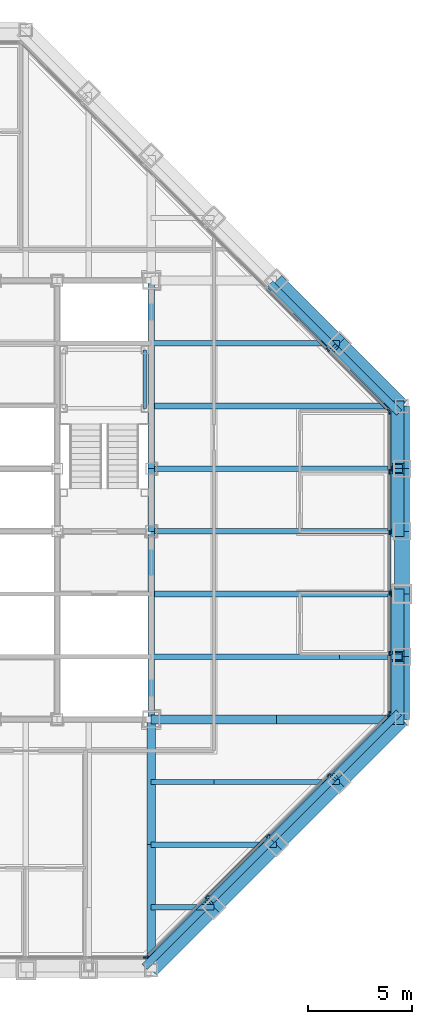
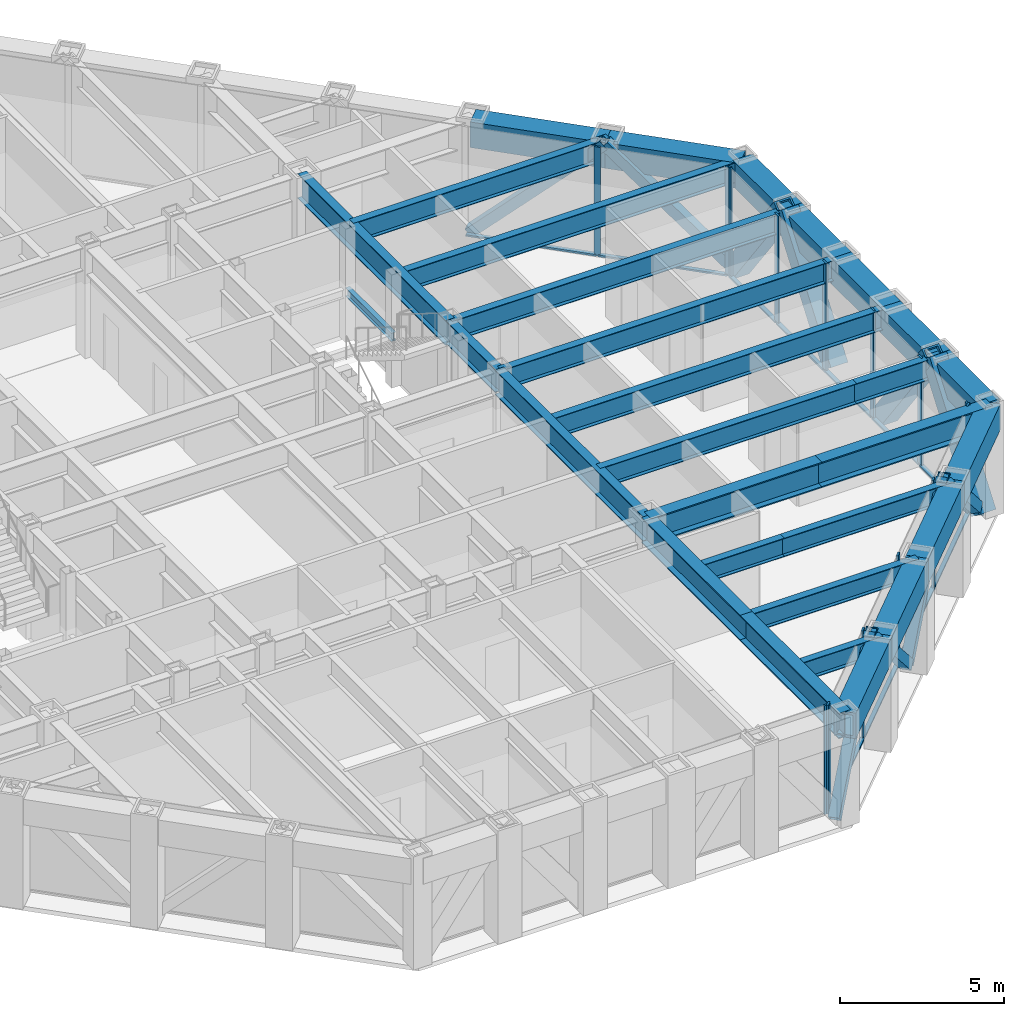
# One storey, part 7 of 16: 35 members, 30 beams, 4 elements without a shape of their own.
"""IFC4 building model written with IfcOpenShell, lengths in metres."""

from ifc_helpers import new_model, si_unit, direction, frame, origin, origin_2d, place, context, subcontext, project, spatial, rectangle, hollow_rectangle, i_section, extrude, material, layer, layer_set, material_profile, profile_set, type_object, element, aggregate, save


model = new_model("IFC4")

# Units and contexts
model_context = context("Model", 3, precision=1e-05, world=origin(), true_north=direction((0.0, 1.0)))
body_context = subcontext(model_context, "Body", "Model", "MODEL_VIEW")
ifc_project = project(units=[si_unit("LENGTHUNIT", "METRE"), si_unit("AREAUNIT", "SQUARE_METRE"), si_unit("VOLUMEUNIT", "CUBIC_METRE"), si_unit("PLANEANGLEUNIT", "RADIAN"), si_unit("MASSUNIT", "GRAM", prefix="KILO")], contexts=[model_context])

# Site, building, storey
site_placement = place(None, origin())
site = spatial("IfcSite", under=ifc_project, at=site_placement, CompositionType="ELEMENT")
building_placement = place(site_placement, origin())
building = spatial("IfcBuilding", under=site, at=building_placement, Name="Chuquiago Exchange Tower", CompositionType="ELEMENT")
storey_placement = place(building_placement, frame((0.0, 0.0, 247.5)))
storey = spatial("IfcBuildingStorey", under=building, at=storey_placement, Name="L55", CompositionType="ELEMENT", Elevation=247.5)

# Beams
ifc_material_1 = material(Name="Steel ASTM A992", Category="steel")
ifc_material_profile_1 = material_profile(ifc_material_1, i_section(OverallWidth=0.307373046875, OverallDepth=0.927001953125, WebThickness=0.01953125, FlangeThickness=0.031982421875, at=origin_2d()), Name="W36X194")
ifc_profile_set_1 = profile_set([ifc_material_profile_1], Name="Steel ASTM A992")
beam_type_1 = type_object("IfcBeamType", Name="B10 W36X194", PredefinedType="BEAM", material=ifc_profile_set_1)
for number, where, z_axis, x_axis, name in (
    (1, (33.0, 12.0, 3.576416015625), (0.0, 1.0, 0.0), (-1.0, 0.0, 0.0), "CB-L56-33_12-33_21"),
    (2, (33.0, 24.0, 3.576416015625), (0.0, 1.0, 0.0), (-1.0, 0.0, 0.0), "CB-L56-33_24-33_33"),
):
    element("IfcBeam", number, at=place(storey_placement, frame(where, z_axis=z_axis, x_axis=x_axis)), inside=storey, type_object=beam_type_1, Name=name, PredefinedType="BEAM", context=body_context, shape_type="SweptSolid", body=[
        extrude(i_section(OverallWidth=0.307373046875, OverallDepth=0.927001953125, WebThickness=0.01953125, FlangeThickness=0.031982421875, at=origin_2d()), origin(), (0.0, 0.0, 1.0), 9.0),
    ])
ifc_material_2 = material(Name="Steel ASTM A992", Category="steel")
ifc_material_profile_2 = material_profile(ifc_material_2, i_section(OverallWidth=0.2919921875, OverallDepth=0.8583984375, WebThickness=0.01708984375, FlangeThickness=0.031005859375, at=origin_2d()), Name="W33X169")
ifc_profile_set_2 = profile_set([ifc_material_profile_2], Name="Steel ASTM A992")
beam_type_2 = type_object("IfcBeamType", Name="B3 W33X169", PredefinedType="BEAM", material=ifc_profile_set_2)
beam_1_placement = place(storey_placement, frame((33.0, 21.0, 3.610595703125), z_axis=(0.0, 1.0, 0.0), x_axis=(-1.0, 0.0, 0.0)))
element("IfcBeam", 3, at=beam_1_placement, inside=storey, type_object=beam_type_2, Name="CB-L56-33_21-33_24", PredefinedType="BEAM", context=body_context, shape_type="SweptSolid", body=[
    extrude(i_section(OverallWidth=0.2919921875, OverallDepth=0.8583984375, WebThickness=0.01708984375, FlangeThickness=0.031005859375, at=origin_2d()), origin(), (0.0, 0.0, 1.0), 3.0),
])
ifc_material_3 = material(Name="Steel ASTM A992", Category="steel")
ifc_material_profile_3 = material_profile(ifc_material_3, i_section(OverallWidth=0.2666015625, OverallDepth=0.761962890625, WebThickness=0.014404296875, FlangeThickness=0.021484375, at=origin_2d()), Name="W30X116")
ifc_profile_set_3 = profile_set([ifc_material_profile_3], Name="Steel ASTM A992")
beam_type_3 = type_object("IfcBeamType", Name="B8 W30X116", PredefinedType="BEAM", material=ifc_profile_set_3)
beam_2_placement = place(storey_placement, frame((33.0, 15.0, 3.658935546875), z_axis=(1.0, 0.0, 0.0), x_axis=(0.0, 1.0, 0.0)))
element("IfcBeam", 4, at=beam_2_placement, inside=storey, type_object=beam_type_3, Name="FB-L56-infill-33_15-45_15-0", PredefinedType="BEAM", context=body_context, shape_type="SweptSolid", body=[
    extrude(i_section(OverallWidth=0.2666015625, OverallDepth=0.761962890625, WebThickness=0.014404296875, FlangeThickness=0.021484375, at=origin_2d()), origin(), (0.0, 0.0, 1.0), 9.0),
])
beam_3_placement = place(storey_placement, frame((42.0, 15.0, 3.658935546875), z_axis=(1.0, 0.0, 0.0), x_axis=(0.0, 1.0, 0.0)))
element("IfcBeam", 5, at=beam_3_placement, inside=storey, type_object=beam_type_3, Name="FB-L56-infill-33_15-45_15-1", PredefinedType="BEAM", context=body_context, shape_type="SweptSolid", body=[
    extrude(i_section(OverallWidth=0.2666015625, OverallDepth=0.761962890625, WebThickness=0.014404296875, FlangeThickness=0.021484375, at=origin_2d()), origin(), (0.0, 0.0, 1.0), 3.0),
])
for number, where, z_axis, x_axis, name in (
    (6, (33.0, 18.0, 3.658935546875), (1.0, 0.0, 0.0), (0.0, 1.0, 0.0), "FB-L56-infill-33_18-45_18-0"),
    (7, (33.0, 21.0, 3.658935546875), (1.0, 0.0, 0.0), (0.0, 1.0, 0.0), "FB-L56-infill-33_21-45_21-0"),
    (8, (33.0, 24.0, 3.658935546875), (1.0, 0.0, 0.0), (0.0, 1.0, 0.0), "FB-L56-infill-33_24-45_24-0"),
    (9, (33.0, 27.0, 3.658935546875), (1.0, 0.0, 0.0), (0.0, 1.0, 0.0), "FB-L56-infill-33_27-45_27-0"),
):
    element("IfcBeam", number, at=place(storey_placement, frame(where, z_axis=z_axis, x_axis=x_axis)), inside=storey, type_object=beam_type_3, Name=name, PredefinedType="BEAM", context=body_context, shape_type="SweptSolid", body=[
        extrude(i_section(OverallWidth=0.2666015625, OverallDepth=0.761962890625, WebThickness=0.014404296875, FlangeThickness=0.021484375, at=origin_2d()), origin(), (0.0, 0.0, 1.0), 12.0),
    ])
beam_4_placement = place(storey_placement, frame((33.0, 30.0, 3.658935546875), z_axis=(1.0, 0.0, 0.0), x_axis=(0.0, 1.0, 0.0)))
element("IfcBeam", 10, at=beam_4_placement, inside=storey, type_object=beam_type_3, Name="FB-L56-infill-33_30-42_30-0", PredefinedType="BEAM", context=body_context, shape_type="SweptSolid", body=[
    extrude(i_section(OverallWidth=0.2666015625, OverallDepth=0.761962890625, WebThickness=0.014404296875, FlangeThickness=0.021484375, at=origin_2d()), origin(), (0.0, 0.0, 1.0), 9.0),
])
ifc_material_4 = material(Name="Steel ASTM A992", Category="steel")
ifc_material_profile_4 = material_profile(ifc_material_4, i_section(OverallWidth=0.256591796875, OverallDepth=0.693359375, WebThickness=0.014404296875, FlangeThickness=0.023681640625, at=origin_2d()), Name="W27X114")
ifc_profile_set_4 = profile_set([ifc_material_profile_4], Name="Steel ASTM A992")
beam_type_4 = type_object("IfcBeamType", Name="B9 W27X114", PredefinedType="BEAM", material=ifc_profile_set_4)
beam_5_placement = place(storey_placement, frame((33.0, 3.0, 3.693359375), z_axis=(1.0, 0.0, 0.0), x_axis=(0.0, 1.0, 0.0)))
element("IfcBeam", 11, at=beam_5_placement, inside=storey, type_object=beam_type_4, Name="FB-L56-corner-33_3-36_3-0", PredefinedType="BEAM", context=body_context, shape_type="SweptSolid", body=[
    extrude(i_section(OverallWidth=0.256591796875, OverallDepth=0.693359375, WebThickness=0.014404296875, FlangeThickness=0.023681640625, at=origin_2d()), origin(), (0.0, 0.0, 1.0), 3.0),
])
beam_6_placement = place(storey_placement, frame((33.0, 6.0, 3.693359375), z_axis=(1.0, 0.0, 0.0), x_axis=(0.0, 1.0, 0.0)))
element("IfcBeam", 12, at=beam_6_placement, inside=storey, type_object=beam_type_4, Name="FB-L56-corner-33_6-39_6-0", PredefinedType="BEAM", context=body_context, shape_type="SweptSolid", body=[
    extrude(i_section(OverallWidth=0.256591796875, OverallDepth=0.693359375, WebThickness=0.014404296875, FlangeThickness=0.023681640625, at=origin_2d()), origin(), (0.0, 0.0, 1.0), 6.0),
])
beam_7_placement = place(storey_placement, frame((33.0, 9.0, 3.693359375), z_axis=(1.0, 0.0, 0.0), x_axis=(0.0, 1.0, 0.0)))
element("IfcBeam", 13, at=beam_7_placement, inside=storey, type_object=beam_type_4, Name="FB-L56-corner-33_9-42_9-0", PredefinedType="BEAM", context=body_context, shape_type="SweptSolid", body=[
    extrude(i_section(OverallWidth=0.256591796875, OverallDepth=0.693359375, WebThickness=0.014404296875, FlangeThickness=0.023681640625, at=origin_2d()), origin(), (0.0, 0.0, 1.0), 3.0),
])
beam_8_placement = place(storey_placement, frame((36.0, 9.0, 3.693359375), z_axis=(1.0, 0.0, 0.0), x_axis=(0.0, 1.0, 0.0)))
element("IfcBeam", 14, at=beam_8_placement, inside=storey, type_object=beam_type_4, Name="FB-L56-corner-33_9-42_9-1", PredefinedType="BEAM", context=body_context, shape_type="SweptSolid", body=[
    extrude(i_section(OverallWidth=0.256591796875, OverallDepth=0.693359375, WebThickness=0.014404296875, FlangeThickness=0.023681640625, at=origin_2d()), origin(), (0.0, 0.0, 1.0), 6.0),
])

# Curtain wall, member
ifc_material_5 = material(Name="Aluminium curtain wall system", Category="aluminium")
ifc_layer_1 = layer(ifc_material_5, 0.22509765625)
ifc_layer_set_1 = layer_set([ifc_layer_1], Name="CW2 office curtain wall")
curtain_wall_type_1 = type_object("IfcCurtainWallType", Name="CW2 office curtain wall", PredefinedType="NOTDEFINED", material=ifc_layer_set_1)
curtain_wall_1_placement = place(storey_placement, origin())
curtain_wall_1 = element("IfcCurtainWall", 15, at=curtain_wall_1_placement, inside=storey, type_object=curtain_wall_type_1, Name="CW2 curtain wall L55", PredefinedType="NOTDEFINED")
ifc_material_6 = material(Name="Aluminium mullion, pale anodised", Category="aluminium")
ifc_material_profile_5 = material_profile(ifc_material_6, rectangle(XDim=0.06494140625, YDim=0.22509765625, at=origin_2d()), Name="AL 65x225")
ifc_profile_set_5 = profile_set([ifc_material_profile_5], Name="Aluminium mullion, pale anodised")
member_type_1 = type_object("IfcMemberType", Name="CW2-M mullion 65x225", PredefinedType="MULLION", material=ifc_profile_set_5)
member_1_placement = place(storey_placement, frame((32.718994140625, 0.60009765625, 0.0), z_axis=(0.0, 0.0, 1.0), x_axis=(0.0, 1.0, 0.0)))
member_1 = element("IfcMember", 16, at=member_1_placement, type_object=member_type_1, Name="CW2 mullion 6", PredefinedType="MULLION", context=body_context, shape_type="SweptSolid", body=[
    extrude(rectangle(XDim=0.06494140625, YDim=0.22509765625, at=origin_2d()), origin(), (0.0, 0.0, 1.0), 4.0400390625),
])
aggregate(curtain_wall_1, [member_1])

# Curtain wall, members
curtain_wall_2_placement = place(storey_placement, origin())
curtain_wall_2 = element("IfcCurtainWall", 17, at=curtain_wall_2_placement, inside=storey, type_object=curtain_wall_type_1, Name="CW2 curtain wall L55", PredefinedType="NOTDEFINED")
member_2_placement = place(storey_placement, frame((44.39990234375, 12.281005859375, 0.0), z_axis=(0.0, 0.0, 1.0), x_axis=(-1.0, 0.0, 0.0)))
member_2 = element("IfcMember", 18, at=member_2_placement, type_object=member_type_1, Name="CW2 mullion 1", PredefinedType="MULLION", context=body_context, shape_type="SweptSolid", body=[
    extrude(rectangle(XDim=0.06494140625, YDim=0.22509765625, at=origin_2d()), origin(), (0.0, 0.0, 1.0), 4.0400390625),
])
member_3_placement = place(storey_placement, frame((44.39990234375, 15.149169921875, 0.0), z_axis=(0.0, 0.0, 1.0), x_axis=(-1.0, 0.0, 0.0)))
member_3 = element("IfcMember", 19, at=member_3_placement, type_object=member_type_1, Name="CW2 mullion 2", PredefinedType="MULLION", context=body_context, shape_type="SweptSolid", body=[
    extrude(rectangle(XDim=0.06494140625, YDim=0.22509765625, at=origin_2d()), origin(), (0.0, 0.0, 1.0), 4.0400390625),
])
member_4_placement = place(storey_placement, frame((44.39990234375, 18.0498046875, 0.0), z_axis=(0.0, 0.0, 1.0), x_axis=(-1.0, 0.0, 0.0)))
member_4 = element("IfcMember", 20, at=member_4_placement, type_object=member_type_1, Name="CW2 mullion 3", PredefinedType="MULLION", context=body_context, shape_type="SweptSolid", body=[
    extrude(rectangle(XDim=0.06494140625, YDim=0.22509765625, at=origin_2d()), origin(), (0.0, 0.0, 1.0), 4.0400390625),
])
member_5_placement = place(storey_placement, frame((44.39990234375, 20.9501953125, 0.0), z_axis=(0.0, 0.0, 1.0), x_axis=(-1.0, 0.0, 0.0)))
member_5 = element("IfcMember", 21, at=member_5_placement, type_object=member_type_1, Name="CW2 mullion 4", PredefinedType="MULLION", context=body_context, shape_type="SweptSolid", body=[
    extrude(rectangle(XDim=0.06494140625, YDim=0.22509765625, at=origin_2d()), origin(), (0.0, 0.0, 1.0), 4.0400390625),
])
member_6_placement = place(storey_placement, frame((44.39990234375, 23.850830078125, 0.0), z_axis=(0.0, 0.0, 1.0), x_axis=(-1.0, 0.0, 0.0)))
member_6 = element("IfcMember", 22, at=member_6_placement, type_object=member_type_1, Name="CW2 mullion 5", PredefinedType="MULLION", context=body_context, shape_type="SweptSolid", body=[
    extrude(rectangle(XDim=0.06494140625, YDim=0.22509765625, at=origin_2d()), origin(), (0.0, 0.0, 1.0), 4.0400390625),
])
member_7_placement = place(storey_placement, frame((44.39990234375, 26.718994140625, 0.0), z_axis=(0.0, 0.0, 1.0), x_axis=(-1.0, 0.0, 0.0)))
member_7 = element("IfcMember", 23, at=member_7_placement, type_object=member_type_1, Name="CW2 mullion 6", PredefinedType="MULLION", context=body_context, shape_type="SweptSolid", body=[
    extrude(rectangle(XDim=0.06494140625, YDim=0.22509765625, at=origin_2d()), origin(), (0.0, 0.0, 1.0), 4.0400390625),
])
ifc_material_7 = material(Name="Aluminium transom, pale anodised", Category="aluminium")
ifc_material_profile_6 = material_profile(ifc_material_7, rectangle(XDim=0.139892578125, YDim=0.06494140625, at=origin_2d()), Name="AL 140x65")
ifc_profile_set_6 = profile_set([ifc_material_profile_6], Name="Aluminium transom, pale anodised")
member_type_2 = type_object("IfcMemberType", Name="CW2-T transom 65x140", PredefinedType="MULLION", material=ifc_profile_set_6)
member_8_placement = place(storey_placement, frame((44.39990234375, 12.3134765625, 0.032470703125), z_axis=(0.0, 1.0, 0.0), x_axis=(-1.0, 0.0, 0.0)))
member_8 = element("IfcMember", 24, at=member_8_placement, type_object=member_type_2, Name="CW2 transom 1.1", PredefinedType="MULLION", context=body_context, shape_type="SweptSolid", body=[
    extrude(rectangle(XDim=0.139892578125, YDim=0.06494140625, at=origin_2d()), origin(), (0.0, 0.0, 1.0), 2.80322265625),
])
member_9_placement = place(storey_placement, frame((44.39990234375, 15.181640625, 0.032470703125), z_axis=(0.0, 1.0, 0.0), x_axis=(-1.0, 0.0, 0.0)))
member_9 = element("IfcMember", 25, at=member_9_placement, type_object=member_type_2, Name="CW2 transom 2.1", PredefinedType="MULLION", context=body_context, shape_type="SweptSolid", body=[
    extrude(rectangle(XDim=0.139892578125, YDim=0.06494140625, at=origin_2d()), origin(), (0.0, 0.0, 1.0), 2.83544921875),
])
member_10_placement = place(storey_placement, frame((44.39990234375, 18.082275390625, 0.032470703125), z_axis=(0.0, 1.0, 0.0), x_axis=(-1.0, 0.0, 0.0)))
member_10 = element("IfcMember", 26, at=member_10_placement, type_object=member_type_2, Name="CW2 transom 3.1", PredefinedType="MULLION", context=body_context, shape_type="SweptSolid", body=[
    extrude(rectangle(XDim=0.139892578125, YDim=0.06494140625, at=origin_2d()), origin(), (0.0, 0.0, 1.0), 2.83544921875),
])
member_11_placement = place(storey_placement, frame((44.39990234375, 20.98291015625, 0.032470703125), z_axis=(0.0, 1.0, 0.0), x_axis=(-1.0, 0.0, 0.0)))
member_11 = element("IfcMember", 27, at=member_11_placement, type_object=member_type_2, Name="CW2 transom 4.1", PredefinedType="MULLION", context=body_context, shape_type="SweptSolid", body=[
    extrude(rectangle(XDim=0.139892578125, YDim=0.06494140625, at=origin_2d()), origin(), (0.0, 0.0, 1.0), 2.83544921875),
])
member_12_placement = place(storey_placement, frame((44.39990234375, 23.88330078125, 0.032470703125), z_axis=(0.0, 1.0, 0.0), x_axis=(-1.0, 0.0, 0.0)))
member_12 = element("IfcMember", 28, at=member_12_placement, type_object=member_type_2, Name="CW2 transom 5.1", PredefinedType="MULLION", context=body_context, shape_type="SweptSolid", body=[
    extrude(rectangle(XDim=0.139892578125, YDim=0.06494140625, at=origin_2d()), origin(), (0.0, 0.0, 1.0), 2.80322265625),
])
aggregate(curtain_wall_2, [member_2, member_3, member_4, member_5, member_6, member_7, member_8, member_9, member_10, member_11, member_12])

ifc_material_8 = material(Name="Aluminium curtain wall system", Category="aluminium")
ifc_layer_2 = layer(ifc_material_8, 0.199951171875)
ifc_layer_set_2 = layer_set([ifc_layer_2], Name="CW3 facet curtain wall")
curtain_wall_type_2 = type_object("IfcCurtainWallType", Name="CW3 facet curtain wall", PredefinedType="NOTDEFINED", material=ifc_layer_set_2)
curtain_wall_3_placement = place(storey_placement, origin())
curtain_wall_3 = element("IfcCurtainWall", 29, at=curtain_wall_3_placement, inside=storey, type_object=curtain_wall_type_2, Name="CW3 curtain wall L55", PredefinedType="NOTDEFINED")
ifc_material_9 = material(Name="Aluminium mullion, pale anodised", Category="aluminium")
ifc_material_profile_7 = material_profile(ifc_material_9, rectangle(XDim=0.06494140625, YDim=0.199951171875, at=origin_2d()), Name="AL 65x200")
ifc_profile_set_7 = profile_set([ifc_material_profile_7], Name="Aluminium mullion, pale anodised")
member_type_3 = type_object("IfcMemberType", Name="CW3-M mullion 65x200", PredefinedType="MULLION", material=ifc_profile_set_7)
member_13_placement = place(storey_placement, frame((32.7744140625, 0.623046875, 0.0), z_axis=(0.0, 0.0, 1.0), x_axis=(-0.707106781187, 0.707106781187, 0.0)))
member_13 = element("IfcMember", 30, at=member_13_placement, type_object=member_type_3, Name="CW3 mullion 1", PredefinedType="MULLION", context=body_context, shape_type="SweptSolid", body=[
    extrude(rectangle(XDim=0.06494140625, YDim=0.199951171875, at=origin_2d()), origin(), (0.0, 0.0, 1.0), 4.0400390625),
])
member_14_placement = place(storey_placement, frame((35.66357421875, 3.51220703125, 0.0), z_axis=(0.0, 0.0, 1.0), x_axis=(-0.707106781187, 0.707106781187, 0.0)))
member_14 = element("IfcMember", 31, at=member_14_placement, type_object=member_type_3, Name="CW3 mullion 2", PredefinedType="MULLION", context=body_context, shape_type="SweptSolid", body=[
    extrude(rectangle(XDim=0.06494140625, YDim=0.199951171875, at=origin_2d()), origin(), (0.0, 0.0, 1.0), 4.0400390625),
])
member_15_placement = place(storey_placement, frame((38.57568359375, 6.42431640625, 0.0), z_axis=(0.0, 0.0, 1.0), x_axis=(-0.707106781187, 0.707106781187, 0.0)))
member_15 = element("IfcMember", 32, at=member_15_placement, type_object=member_type_3, Name="CW3 mullion 3", PredefinedType="MULLION", context=body_context, shape_type="SweptSolid", body=[
    extrude(rectangle(XDim=0.06494140625, YDim=0.199951171875, at=origin_2d()), origin(), (0.0, 0.0, 1.0), 4.0400390625),
])
member_16_placement = place(storey_placement, frame((41.48779296875, 9.33642578125, 0.0), z_axis=(0.0, 0.0, 1.0), x_axis=(-0.707106781187, 0.707106781187, 0.0)))
member_16 = element("IfcMember", 33, at=member_16_placement, type_object=member_type_3, Name="CW3 mullion 4", PredefinedType="MULLION", context=body_context, shape_type="SweptSolid", body=[
    extrude(rectangle(XDim=0.06494140625, YDim=0.199951171875, at=origin_2d()), origin(), (0.0, 0.0, 1.0), 4.0400390625),
])
member_17_placement = place(storey_placement, frame((44.376953125, 12.2255859375, 0.0), z_axis=(0.0, 0.0, 1.0), x_axis=(-0.707106781187, 0.707106781187, 0.0)))
member_17 = element("IfcMember", 34, at=member_17_placement, type_object=member_type_3, Name="CW3 mullion 5", PredefinedType="MULLION", context=body_context, shape_type="SweptSolid", body=[
    extrude(rectangle(XDim=0.06494140625, YDim=0.199951171875, at=origin_2d()), origin(), (0.0, 0.0, 1.0), 4.0400390625),
])

curtain_wall_4_placement = place(storey_placement, origin())
curtain_wall_4 = element("IfcCurtainWall", 35, at=curtain_wall_4_placement, inside=storey, type_object=curtain_wall_type_2, Name="CW3 curtain wall L55", PredefinedType="NOTDEFINED")
member_18_placement = place(storey_placement, frame((44.376953125, 26.7744140625, 0.0), z_axis=(0.0, 0.0, 1.0), x_axis=(-0.707106781187, -0.707106781187, 0.0)))
member_18 = element("IfcMember", 36, at=member_18_placement, type_object=member_type_3, Name="CW3 mullion 1", PredefinedType="MULLION", context=body_context, shape_type="SweptSolid", body=[
    extrude(rectangle(XDim=0.06494140625, YDim=0.199951171875, at=origin_2d()), origin(), (0.0, 0.0, 1.0), 4.0400390625),
])
member_19_placement = place(storey_placement, frame((41.45849609375, 29.69287109375, 0.0), z_axis=(0.0, 0.0, 1.0), x_axis=(-0.707106781187, -0.707106781187, 0.0)))
member_19 = element("IfcMember", 37, at=member_19_placement, type_object=member_type_3, Name="CW3 mullion 2", PredefinedType="MULLION", context=body_context, shape_type="SweptSolid", body=[
    extrude(rectangle(XDim=0.06494140625, YDim=0.199951171875, at=origin_2d()), origin(), (0.0, 0.0, 1.0), 4.0400390625),
])

# Member
ifc_material_10 = material(Name="Aluminium transom, pale anodised", Category="aluminium")
ifc_material_profile_8 = material_profile(ifc_material_10, rectangle(XDim=0.139892578125, YDim=0.06494140625, at=origin_2d()), Name="AL 140x65")
ifc_profile_set_8 = profile_set([ifc_material_profile_8], Name="Aluminium transom, pale anodised")
member_type_4 = type_object("IfcMemberType", Name="CW3-T transom 65x140", PredefinedType="MULLION", material=ifc_profile_set_8)
member_20_placement = place(storey_placement, frame((32.79736328125, 0.64599609375, 0.032470703125), z_axis=(0.707106781187, 0.707106781187, 0.0), x_axis=(-0.707106781187, 0.707106781187, 0.0)))
member_20 = element("IfcMember", 38, at=member_20_placement, type_object=member_type_4, Name="CW3 transom 1.1", PredefinedType="MULLION", context=body_context, shape_type="SweptSolid", body=[
    extrude(rectangle(XDim=0.139892578125, YDim=0.06494140625, at=origin_2d()), origin(), (0.0, 0.0, 1.0), 4.02099609375),
])

member_21_placement = place(storey_placement, frame((35.6865234375, 3.53515625, 0.032470703125), z_axis=(0.707106781187, 0.707106781187, 0.0), x_axis=(-0.707106781187, 0.707106781187, 0.0)))
member_21 = element("IfcMember", 39, at=member_21_placement, type_object=member_type_4, Name="CW3 transom 2.1", PredefinedType="MULLION", context=body_context, shape_type="SweptSolid", body=[
    extrude(rectangle(XDim=0.139892578125, YDim=0.06494140625, at=origin_2d()), origin(), (0.0, 0.0, 1.0), 4.053466796875),
])

member_22_placement = place(storey_placement, frame((38.5986328125, 6.447265625, 0.032470703125), z_axis=(0.707106781187, 0.707106781187, 0.0), x_axis=(-0.707106781187, 0.707106781187, 0.0)))
member_22 = element("IfcMember", 40, at=member_22_placement, type_object=member_type_4, Name="CW3 transom 3.1", PredefinedType="MULLION", context=body_context, shape_type="SweptSolid", body=[
    extrude(rectangle(XDim=0.139892578125, YDim=0.06494140625, at=origin_2d()), origin(), (0.0, 0.0, 1.0), 4.053466796875),
])

member_23_placement = place(storey_placement, frame((41.5107421875, 9.359375, 0.032470703125), z_axis=(0.707106781187, 0.707106781187, 0.0), x_axis=(-0.707106781187, 0.707106781187, 0.0)))
member_23 = element("IfcMember", 41, at=member_23_placement, type_object=member_type_4, Name="CW3 transom 4.1", PredefinedType="MULLION", context=body_context, shape_type="SweptSolid", body=[
    extrude(rectangle(XDim=0.139892578125, YDim=0.06494140625, at=origin_2d()), origin(), (0.0, 0.0, 1.0), 4.02099609375),
])

aggregate(curtain_wall_3, [member_13, member_14, member_15, member_16, member_17, member_20, member_21, member_22, member_23])

member_24_placement = place(storey_placement, frame((44.35400390625, 26.79736328125, 0.032470703125), z_axis=(-0.707106781187, 0.707106781187, 0.0), x_axis=(-0.707106781187, -0.707106781187, 0.0)))
member_24 = element("IfcMember", 42, at=member_24_placement, type_object=member_type_4, Name="CW3 transom 1.1", PredefinedType="MULLION", context=body_context, shape_type="SweptSolid", body=[
    extrude(rectangle(XDim=0.139892578125, YDim=0.06494140625, at=origin_2d()), origin(), (0.0, 0.0, 1.0), 4.0625),
])

member_25_placement = place(storey_placement, frame((41.435546875, 29.7158203125, 0.032470703125), z_axis=(-0.707106781187, 0.707106781187, 0.0), x_axis=(-0.707106781187, -0.707106781187, 0.0)))
member_25 = element("IfcMember", 43, at=member_25_placement, type_object=member_type_4, Name="CW3 transom 2.1", PredefinedType="MULLION", context=body_context, shape_type="SweptSolid", body=[
    extrude(rectangle(XDim=0.139892578125, YDim=0.06494140625, at=origin_2d()), origin(), (0.0, 0.0, 1.0), 4.094970703125),
])

aggregate(curtain_wall_4, [member_18, member_19, member_24, member_25])

# Beams
ifc_material_11 = material(Name="Steel ASTM A992", Category="steel")
ifc_material_profile_9 = material_profile(ifc_material_11, i_section(OverallWidth=0.424072265625, OverallDepth=0.947509765625, WebThickness=0.02392578125, FlangeThickness=0.042724609375, at=origin_2d()), Name="W36X302")
ifc_profile_set_9 = profile_set([ifc_material_profile_9], Name="Steel ASTM A992")
beam_type_5 = type_object("IfcBeamType", Name="G4 W36X302", PredefinedType="BEAM", material=ifc_profile_set_9)
for number, where, z_axis, x_axis, name in (
    (44, (33.0, 12.0, 3.56640625), (0.0, -1.0, 0.0), (1.0, 0.0, 0.0), "FB-L56-girder-33_12-33_-0-0"),
    (45, (33.0, 6.0, 3.56640625), (0.0, -1.0, 0.0), (1.0, 0.0, 0.0), "FB-L56-girder-33_12-33_-0-1"),
    (46, (33.0, 12.0, 3.56640625), (1.0, 0.0, 0.0), (0.0, 1.0, 0.0), "FB-L56-girder-33_12-45_12-0"),
    (47, (39.0, 12.0, 3.56640625), (1.0, 0.0, 0.0), (0.0, 1.0, 0.0), "FB-L56-girder-33_12-45_12-1"),
):
    element("IfcBeam", number, at=place(storey_placement, frame(where, z_axis=z_axis, x_axis=x_axis)), inside=storey, type_object=beam_type_5, Name=name, PredefinedType="BEAM", context=body_context, shape_type="SweptSolid", body=[
        extrude(i_section(OverallWidth=0.424072265625, OverallDepth=0.947509765625, WebThickness=0.02392578125, FlangeThickness=0.042724609375, at=origin_2d()), origin(), (0.0, 0.0, 1.0), 6.0),
    ])

# Members
ifc_material_12 = material(Name="Steel ASTM A500 Grade C", Category="steel")
ifc_material_profile_10 = material_profile(ifc_material_12, hollow_rectangle(XDim=0.355712890625, YDim=0.355712890625, WallThickness=0.0146484375, at=origin_2d()), Name="HSS14X14X5/8")
ifc_profile_set_10 = profile_set([ifc_material_profile_10], Name="Steel ASTM A500 Grade C")
member_type_5 = type_object("IfcMemberType", Name="LB2 HSS14X14X5/8", PredefinedType="BRACE", material=ifc_profile_set_10)
for number, where, z_axis, x_axis, name in (
    (48, (32.7685546875, 0.2314453125, 0.0), (0.512077265487, 0.512077265487, 0.689604051861), (-0.707106781187, 0.707106781187, 0.0), "LB-L55-33_0-36_3"),
    (49, (38.7685546875, 6.2314453125, 0.0), (-0.512077265487, -0.512077265487, 0.689604051861), (0.707106781187, -0.707106781187, 0.0), "LB-L55-36_3-39_6"),
    (50, (38.7685546875, 6.2314453125, 0.0), (0.512077265487, 0.512077265487, 0.689604051861), (-0.707106781187, 0.707106781187, 0.0), "LB-L55-39_6-42_9"),
    (51, (44.7685546875, 12.2314453125, 0.0), (-0.512077265487, -0.512077265487, 0.689604051861), (0.707106781187, -0.707106781187, 0.0), "LB-L55-42_9-45_12"),
    (52, (44.7685546875, 26.7685546875, 0.0), (-0.512077265487, 0.512077265487, 0.689604051861), (-0.707106781187, -0.707106781187, 0.0), "LB-L55-45_27-42_30"),
    (53, (38.7685546875, 32.7685546875, 0.0), (0.512077265487, -0.512077265487, 0.689604051861), (0.707106781187, 0.707106781187, 0.0), "LB-L55-42_30-39_33"),
):
    element("IfcMember", number, at=place(storey_placement, frame(where, z_axis=z_axis, x_axis=x_axis)), inside=storey, type_object=member_type_5, Name=name, PredefinedType="BRACE", context=body_context, shape_type="SweptSolid", body=[
        extrude(hollow_rectangle(XDim=0.355712890625, YDim=0.355712890625, WallThickness=0.0146484375, at=origin_2d()), origin(), (0.0, 0.0, 1.0), 5.8583984375),
    ])

# Beam
ifc_material_13 = material(Name="Steel ASTM A992", Category="steel")
ifc_material_profile_11 = material_profile(ifc_material_13, i_section(OverallWidth=0.164794921875, OverallDepth=0.309814453125, WebThickness=0.005859375, FlangeThickness=0.009765625, at=origin_2d()), Name="W12X26")
ifc_profile_set_11 = profile_set([ifc_material_profile_11], Name="Steel ASTM A992")
beam_type_6 = type_object("IfcBeamType", Name="LS1 W12X26", PredefinedType="BEAM", material=ifc_profile_set_11)
beam_9_placement = place(storey_placement, frame((32.68994140625, 26.889892578125, 1.7451171875), z_axis=(0.0, 1.0, 0.0), x_axis=(-1.0, 0.0, 0.0)))
element("IfcBeam", 54, at=beam_9_placement, inside=storey, type_object=beam_type_6, Name="Stair ST2 L55 landing 1 stringer", PredefinedType="BEAM", context=body_context, shape_type="SweptSolid", body=[
    extrude(i_section(OverallWidth=0.164794921875, OverallDepth=0.309814453125, WebThickness=0.005859375, FlangeThickness=0.009765625, at=origin_2d()), origin(), (0.0, 0.0, 1.0), 2.800048828125),
])

# Members
ifc_material_14 = material(Name="Steel ASTM A572 Grade 50", Category="steel")
ifc_material_profile_12 = material_profile(ifc_material_14, hollow_rectangle(XDim=0.60009765625, YDim=0.60009765625, WallThickness=0.06005859375, at=origin_2d()), Name="BOX600X600X60")
ifc_profile_set_12 = profile_set([ifc_material_profile_12], Name="Steel ASTM A572 Grade 50")
member_type_6 = type_object("IfcMemberType", Name="MB3 BOX600X600X60", PredefinedType="BRACE", material=ifc_profile_set_12)
for number, where, z_axis, x_axis, name in (
    (55, (44.794921875, 12.0, 0.0), (0.0, 0.596173923302, 0.802855312728), (-1.0, 0.0, 0.0), "Mega diagonal L55 E face"),
    (56, (44.794921875, 18.0, 0.0), (0.0, -0.596173923302, 0.802855312728), (1.0, 0.0, 0.0), "Mega diagonal L55 E face"),
    (57, (44.794921875, 21.0, 0.0), (0.0, 0.596173923302, 0.802855312728), (-1.0, 0.0, 0.0), "Mega diagonal L55 E face"),
    (58, (44.794921875, 27.0, 0.0), (0.0, -0.596173923302, 0.802855312728), (1.0, 0.0, 0.0), "Mega diagonal L55 E face"),
):
    element("IfcMember", number, at=place(storey_placement, frame(where, z_axis=z_axis, x_axis=x_axis)), inside=storey, type_object=member_type_6, Name=name, PredefinedType="BRACE", context=body_context, shape_type="SweptSolid", body=[
        extrude(hollow_rectangle(XDim=0.60009765625, YDim=0.60009765625, WallThickness=0.06005859375, at=origin_2d()), origin(), (0.0, 0.0, 1.0), 5.031982421875),
    ])

# Beams
ifc_material_15 = material(Name="Steel ASTM A572 Grade 50", Category="steel")
ifc_material_profile_13 = material_profile(ifc_material_15, hollow_rectangle(XDim=0.699951171875, YDim=0.949951171875, WallThickness=0.10009765625, at=origin_2d()), Name="BOX950X700X100")
ifc_profile_set_13 = profile_set([ifc_material_profile_13], Name="Steel ASTM A572 Grade 50")
beam_type_7 = type_object("IfcBeamType", Name="SP5 BOX950X700X100", PredefinedType="SPANDREL", material=ifc_profile_set_13)
for number, where, z_axis, x_axis, name in (
    (59, (33.0, 0.0, 3.56494140625), (0.707106781187, 0.707106781187, 0.0), (-0.707106781187, 0.707106781187, 0.0), "SPB-L56-33_0-36_3"),
    (60, (36.0, 3.0, 3.56494140625), (0.707106781187, 0.707106781187, 0.0), (-0.707106781187, 0.707106781187, 0.0), "SPB-L56-36_3-39_6"),
    (61, (39.0, 6.0, 3.56494140625), (0.707106781187, 0.707106781187, 0.0), (-0.707106781187, 0.707106781187, 0.0), "SPB-L56-39_6-42_9"),
    (62, (42.0, 9.0, 3.56494140625), (0.707106781187, 0.707106781187, 0.0), (-0.707106781187, 0.707106781187, 0.0), "SPB-L56-42_9-45_12"),
):
    element("IfcBeam", number, at=place(storey_placement, frame(where, z_axis=z_axis, x_axis=x_axis)), inside=storey, type_object=beam_type_7, Name=name, PredefinedType="SPANDREL", context=body_context, shape_type="SweptSolid", body=[
        extrude(hollow_rectangle(XDim=0.699951171875, YDim=0.949951171875, WallThickness=0.10009765625, at=origin_2d()), origin(), (0.0, 0.0, 1.0), 4.24267578125),
    ])
for number, where, z_axis, x_axis, name in (
    (63, (45.0, 12.0, 3.56494140625), (0.0, 1.0, 0.0), (-1.0, 0.0, 0.0), "SPB-L56-45_12-45_15"),
    (64, (45.0, 15.0, 3.56494140625), (0.0, 1.0, 0.0), (-1.0, 0.0, 0.0), "SPB-L56-45_15-45_18"),
    (65, (45.0, 18.0, 3.56494140625), (0.0, 1.0, 0.0), (-1.0, 0.0, 0.0), "SPB-L56-45_18-45_21"),
    (66, (45.0, 21.0, 3.56494140625), (0.0, 1.0, 0.0), (-1.0, 0.0, 0.0), "SPB-L56-45_21-45_24"),
    (67, (45.0, 24.0, 3.56494140625), (0.0, 1.0, 0.0), (-1.0, 0.0, 0.0), "SPB-L56-45_24-45_27"),
):
    element("IfcBeam", number, at=place(storey_placement, frame(where, z_axis=z_axis, x_axis=x_axis)), inside=storey, type_object=beam_type_7, Name=name, PredefinedType="SPANDREL", context=body_context, shape_type="SweptSolid", body=[
        extrude(hollow_rectangle(XDim=0.699951171875, YDim=0.949951171875, WallThickness=0.10009765625, at=origin_2d()), origin(), (0.0, 0.0, 1.0), 3.0),
    ])
for number, where, z_axis, x_axis, name in (
    (68, (45.0, 27.0, 3.56494140625), (-0.707106781187, 0.707106781187, 0.0), (-0.707106781187, -0.707106781187, 0.0), "SPB-L56-45_27-42_30"),
    (69, (42.0, 30.0, 3.56494140625), (-0.707106781187, 0.707106781187, 0.0), (-0.707106781187, -0.707106781187, 0.0), "SPB-L56-42_30-39_33"),
):
    element("IfcBeam", number, at=place(storey_placement, frame(where, z_axis=z_axis, x_axis=x_axis)), inside=storey, type_object=beam_type_7, Name=name, PredefinedType="SPANDREL", context=body_context, shape_type="SweptSolid", body=[
        extrude(hollow_rectangle(XDim=0.699951171875, YDim=0.949951171875, WallThickness=0.10009765625, at=origin_2d()), origin(), (0.0, 0.0, 1.0), 4.24267578125),
    ])

save(model, "model.ifc")
